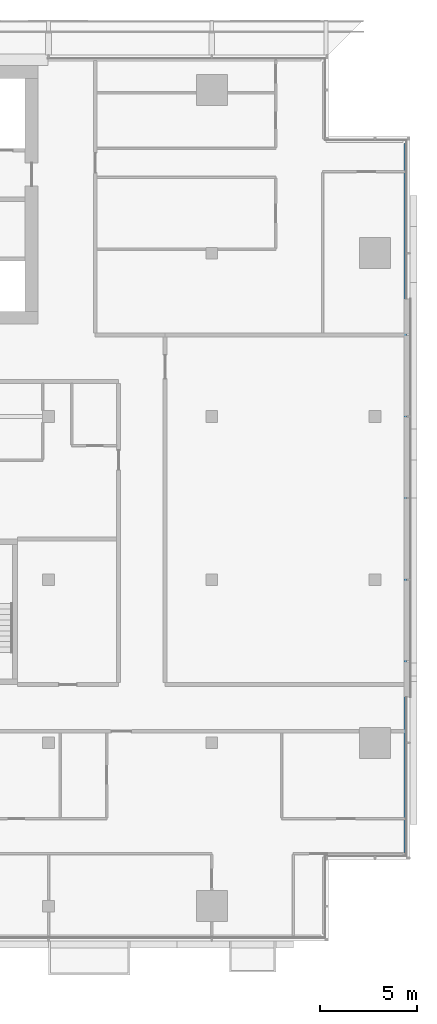
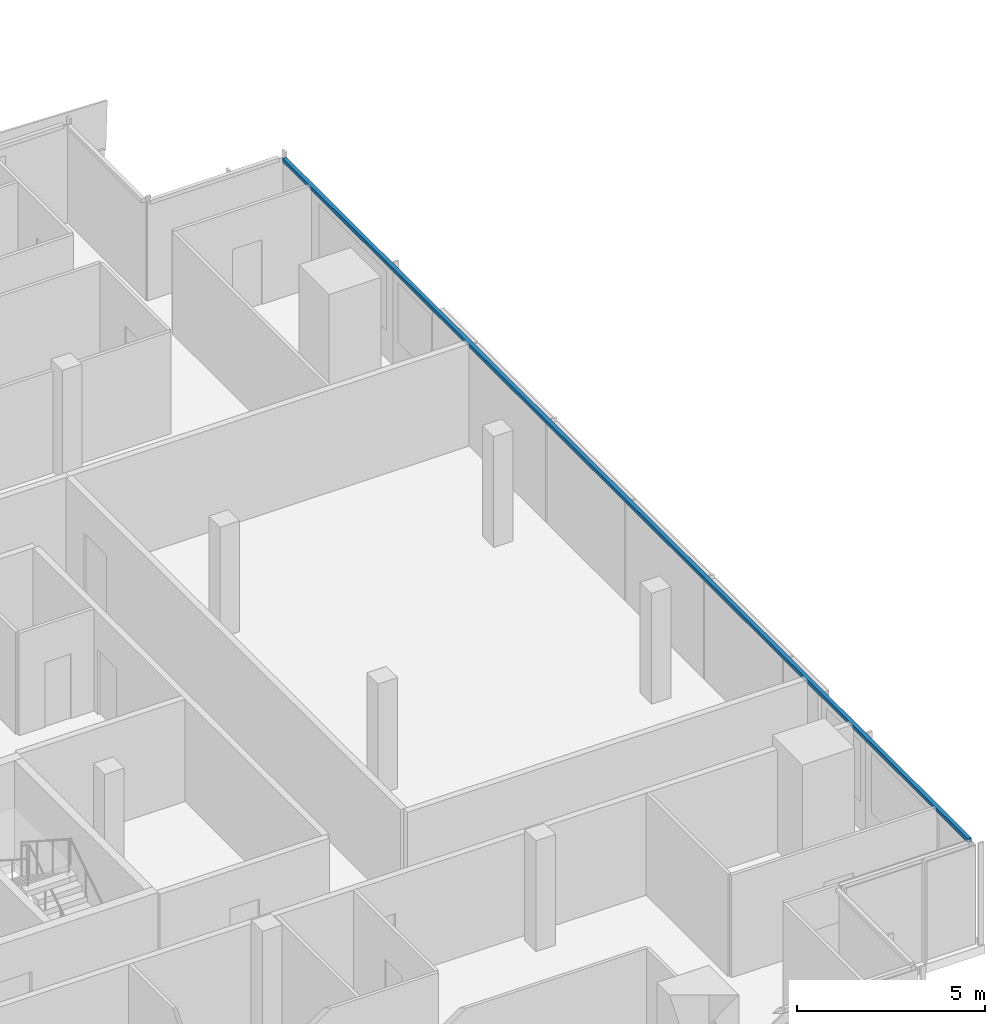
# One storey, part 15 of 31: 1 member, 1 element without a shape of its own.
"""IFC4 building model written with IfcOpenShell, lengths in metres."""

from ifc_helpers import new_model, si_unit, direction, frame, origin, origin_2d, place, context, subcontext, project, spatial, rectangle, extrude, material, material_profile, profile_set, type_object, element, aggregate, save


model = new_model("IFC4")

# Units and contexts
model_context = context("Model", 3, precision=1e-05, world=origin(), true_north=direction((0.0, 1.0)))
body_context = subcontext(model_context, "Body", "Model", "MODEL_VIEW")
ifc_project = project(units=[si_unit("LENGTHUNIT", "METRE"), si_unit("AREAUNIT", "SQUARE_METRE"), si_unit("VOLUMEUNIT", "CUBIC_METRE"), si_unit("PLANEANGLEUNIT", "RADIAN"), si_unit("MASSUNIT", "GRAM", prefix="KILO")], contexts=[model_context])

# Site, building, storey
site_placement = place(None, origin())
site = spatial("IfcSite", under=ifc_project, at=site_placement, CompositionType="ELEMENT")
building_placement = place(site_placement, origin())
building = spatial("IfcBuilding", under=site, at=building_placement, Name="Saffron Gate Tower", CompositionType="ELEMENT")
storey_placement = place(building_placement, frame((0.0, 0.0, 205.5)))
storey = spatial("IfcBuildingStorey", under=building, at=storey_placement, Name="L49", CompositionType="ELEMENT", Elevation=205.5)

# Curtain wall, member
ifc_material = material(Name="Aluminium, bronze anodised", Category="aluminium")
curtain_wall_type = type_object("IfcCurtainWallType", Name="CWS2 curtain wall side facades", PredefinedType="NOTDEFINED", material=ifc_material)
curtain_wall_placement = place(storey_placement, origin())
curtain_wall = element("IfcCurtainWall", 1, at=curtain_wall_placement, inside=storey, type_object=curtain_wall_type, Name="CWS2 run 4", PredefinedType="NOTDEFINED")
ifc_material_profile = material_profile(ifc_material, rectangle(XDim=0.1201171875, YDim=0.1201171875, at=origin_2d()))
ifc_profile_set = profile_set([ifc_material_profile], Name="Aluminium, bronze anodised")
member_type = type_object("IfcMemberType", Name="CWS2 head transom", PredefinedType="USERDEFINED", material=ifc_profile_set)
member_placement = place(storey_placement, frame((126.951904296875, 34.568115234375, 3.260009765625), z_axis=(0.0, 1.0, 0.0), x_axis=(-1.0, 0.0, 0.0)))
member = element("IfcMember", 2, at=member_placement, type_object=member_type, Name="CWS2 head transom", ObjectType="TRANSOM", PredefinedType="USERDEFINED", context=body_context, shape_type="SweptSolid", body=[
    extrude(rectangle(XDim=0.1201171875, YDim=0.1201171875, at=origin_2d()), origin(), (0.0, 0.0, 1.0), 36.4638671875),
])
aggregate(curtain_wall, [member])

save(model, "model.ifc")
